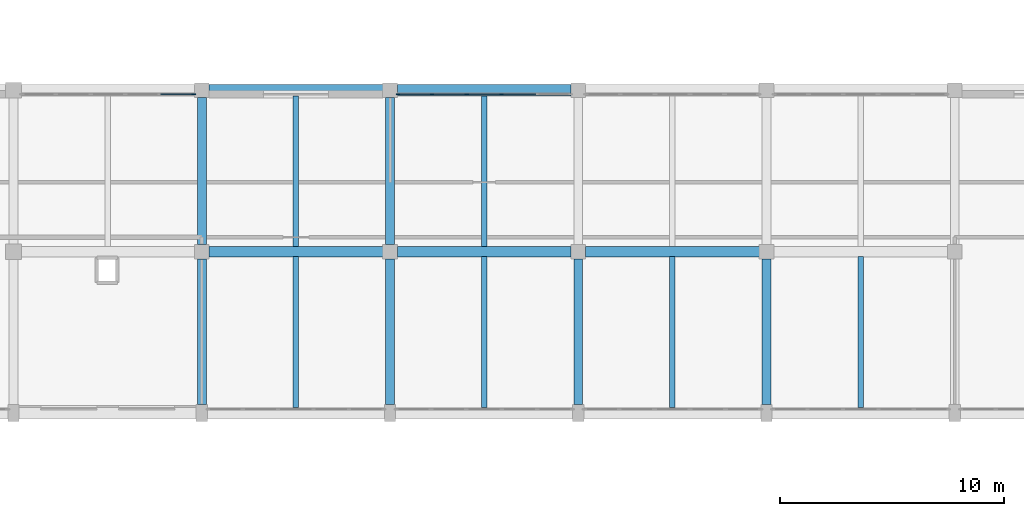
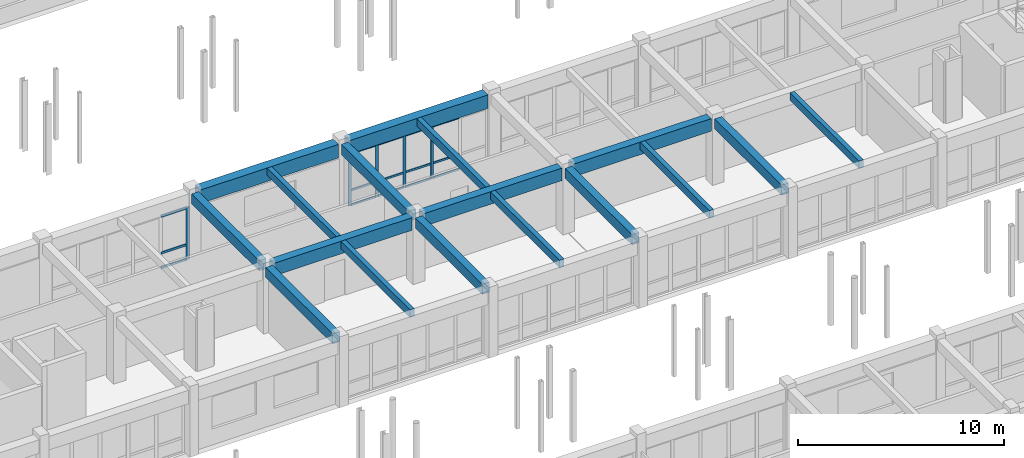
# One storey, part 59 of 147: 20 members, 17 beams, 2 elements without a shape of their own.
"""IFC4 building model written with IfcOpenShell, lengths in metres."""

from ifc_helpers import new_model, si_unit, direction, frame, origin, origin_2d, place, context, subcontext, project, spatial, rectangle, extrude, material, material_profile, profile_set, type_object, element, aggregate, save


model = new_model("IFC4")

# Units and contexts
model_context = context("Model", 3, precision=1e-05, world=origin(), true_north=direction((0.0, 1.0)))
body_context = subcontext(model_context, "Body", "Model", "MODEL_VIEW")
ifc_project = project(units=[si_unit("LENGTHUNIT", "METRE"), si_unit("AREAUNIT", "SQUARE_METRE"), si_unit("VOLUMEUNIT", "CUBIC_METRE"), si_unit("PLANEANGLEUNIT", "RADIAN"), si_unit("MASSUNIT", "GRAM", prefix="KILO")], contexts=[model_context])

# Site, building, storey
site_placement = place(None, origin())
site = spatial("IfcSite", under=ifc_project, at=site_placement, CompositionType="ELEMENT")
building_placement = place(site_placement, origin())
building = spatial("IfcBuilding", under=site, at=building_placement, Name="Malvenik Polytechnic", CompositionType="ELEMENT")
storey_placement = place(building_placement, frame((0.0, 0.0, 5.10009765625)))
storey = spatial("IfcBuildingStorey", under=building, at=storey_placement, Name="L01", CompositionType="ELEMENT", Elevation=5.10009765625)

# Curtain wall, members
ifc_material_1 = material(Name="Anodised aluminium 6060-T6", Category="aluminium")
curtain_wall_type = type_object("IfcCurtainWallType", Name="ARC-CW-CW-02", PredefinedType="NOTDEFINED", material=ifc_material_1)
curtain_wall_1_placement = place(storey_placement, origin())
curtain_wall_1 = element("IfcCurtainWall", 1, at=curtain_wall_1_placement, inside=storey, type_object=curtain_wall_type, Name="Unitised Curtain Wall CW-02 L01 #35", PredefinedType="NOTDEFINED")
ifc_material_2 = material(Name="Anodised aluminium", Category="aluminium")
ifc_material_profile_1 = material_profile(ifc_material_2, rectangle(XDim=0.06005859375, YDim=0.159912109375, at=origin_2d()), Name="ALU MULLION 60x160")
ifc_profile_set_1 = profile_set([ifc_material_profile_1], Name="Anodised aluminium")
member_type_1 = type_object("IfcMemberType", Name="ARC-CWM-160", PredefinedType="MULLION", material=ifc_profile_set_1)
member_1_placement = place(storey_placement, frame((42.35302734375, 93.429931640625, 0.0), z_axis=(0.0, 0.0, 1.0), x_axis=(0.0, 1.0, 0.0)))
member_1 = element("IfcMember", 2, at=member_1_placement, type_object=member_type_1, Name="CW-02 mullion 1", PredefinedType="MULLION", context=body_context, shape_type="SweptSolid", body=[
    extrude(rectangle(XDim=0.06005859375, YDim=0.159912109375, at=origin_2d()), origin(), (0.0, 0.0, 1.0), 3.10986328125),
])
member_2_placement = place(storey_placement, frame((43.873779296875, 93.429931640625, 0.0), z_axis=(0.0, 0.0, 1.0), x_axis=(0.0, 1.0, 0.0)))
member_2 = element("IfcMember", 3, at=member_2_placement, type_object=member_type_1, Name="CW-02 mullion 2", PredefinedType="MULLION", context=body_context, shape_type="SweptSolid", body=[
    extrude(rectangle(XDim=0.06005859375, YDim=0.159912109375, at=origin_2d()), origin(), (0.0, 0.0, 1.0), 3.10986328125),
])
member_3_placement = place(storey_placement, frame((45.424560546875, 93.429931640625, 0.0), z_axis=(0.0, 0.0, 1.0), x_axis=(0.0, 1.0, 0.0)))
member_3 = element("IfcMember", 4, at=member_3_placement, type_object=member_type_1, Name="CW-02 mullion 3", PredefinedType="MULLION", context=body_context, shape_type="SweptSolid", body=[
    extrude(rectangle(XDim=0.06005859375, YDim=0.159912109375, at=origin_2d()), origin(), (0.0, 0.0, 1.0), 3.10986328125),
])
member_4_placement = place(storey_placement, frame((46.975341796875, 93.429931640625, 0.0), z_axis=(0.0, 0.0, 1.0), x_axis=(0.0, 1.0, 0.0)))
member_4 = element("IfcMember", 5, at=member_4_placement, type_object=member_type_1, Name="CW-02 mullion 4", PredefinedType="MULLION", context=body_context, shape_type="SweptSolid", body=[
    extrude(rectangle(XDim=0.06005859375, YDim=0.159912109375, at=origin_2d()), origin(), (0.0, 0.0, 1.0), 3.10986328125),
])

# Curtain wall, member
curtain_wall_2_placement = place(storey_placement, origin())
curtain_wall_2 = element("IfcCurtainWall", 6, at=curtain_wall_2_placement, inside=storey, type_object=curtain_wall_type, Name="Unitised Curtain Wall CW-02 L01 #34", PredefinedType="NOTDEFINED")
ifc_material_profile_2 = material_profile(ifc_material_2, rectangle(XDim=0.06005859375, YDim=0.179931640625, at=origin_2d()), Name="ALU MULLION 60x180")
ifc_profile_set_2 = profile_set([ifc_material_profile_2], Name="Anodised aluminium")
member_type_2 = type_object("IfcMemberType", Name="ARC-CWM-180", PredefinedType="MULLION", material=ifc_profile_set_2)
member_5_placement = place(storey_placement, frame((33.2470703125, 93.429931640625, 0.0), z_axis=(0.0, 0.0, 1.0), x_axis=(0.0, 1.0, 0.0)))
member_5 = element("IfcMember", 7, at=member_5_placement, type_object=member_type_2, Name="CW-02 mullion 6", PredefinedType="MULLION", context=body_context, shape_type="SweptSolid", body=[
    extrude(rectangle(XDim=0.06005859375, YDim=0.179931640625, at=origin_2d()), origin(), (0.0, 0.0, 1.0), 3.10986328125),
])

# Member
ifc_material_profile_3 = material_profile(ifc_material_2, rectangle(XDim=0.06005859375, YDim=0.1201171875, at=origin_2d()), Name="ALU TRANSOM 60x120")
ifc_profile_set_3 = profile_set([ifc_material_profile_3], Name="Anodised aluminium")
member_type_3 = type_object("IfcMemberType", Name="ARC-CWT-120", PredefinedType="USERDEFINED", material=ifc_profile_set_3)
member_6_placement = place(storey_placement, frame((42.383056640625, 93.429931640625, 0.02978515625), z_axis=(1.0, 0.0, 0.0), x_axis=(0.0, 1.0, 0.0)))
member_6 = element("IfcMember", 8, at=member_6_placement, type_object=member_type_3, Name="CW-02 transom 1.1", ObjectType="TRANSOM", PredefinedType="USERDEFINED", context=body_context, shape_type="SweptSolid", body=[
    extrude(rectangle(XDim=0.06005859375, YDim=0.1201171875, at=origin_2d()), origin(), (0.0, 0.0, 1.0), 1.460693359375),
])

member_7_placement = place(storey_placement, frame((42.383056640625, 93.429931640625, 0.89990234375), z_axis=(1.0, 0.0, 0.0), x_axis=(0.0, 1.0, 0.0)))
member_7 = element("IfcMember", 9, at=member_7_placement, type_object=member_type_3, Name="CW-02 transom 1.2", ObjectType="TRANSOM", PredefinedType="USERDEFINED", context=body_context, shape_type="SweptSolid", body=[
    extrude(rectangle(XDim=0.06005859375, YDim=0.1201171875, at=origin_2d()), origin(), (0.0, 0.0, 1.0), 1.460693359375),
])

member_8_placement = place(storey_placement, frame((42.383056640625, 93.429931640625, 3.079833984375), z_axis=(1.0, 0.0, 0.0), x_axis=(0.0, 1.0, 0.0)))
member_8 = element("IfcMember", 10, at=member_8_placement, type_object=member_type_3, Name="CW-02 transom 1.3", ObjectType="TRANSOM", PredefinedType="USERDEFINED", context=body_context, shape_type="SweptSolid", body=[
    extrude(rectangle(XDim=0.06005859375, YDim=0.1201171875, at=origin_2d()), origin(), (0.0, 0.0, 1.0), 1.460693359375),
])

member_9_placement = place(storey_placement, frame((43.90380859375, 93.429931640625, 0.02978515625), z_axis=(1.0, 0.0, 0.0), x_axis=(0.0, 1.0, 0.0)))
member_9 = element("IfcMember", 11, at=member_9_placement, type_object=member_type_3, Name="CW-02 transom 2.1", ObjectType="TRANSOM", PredefinedType="USERDEFINED", context=body_context, shape_type="SweptSolid", body=[
    extrude(rectangle(XDim=0.06005859375, YDim=0.1201171875, at=origin_2d()), origin(), (0.0, 0.0, 1.0), 1.49072265625),
])

member_10_placement = place(storey_placement, frame((43.90380859375, 93.429931640625, 0.89990234375), z_axis=(1.0, 0.0, 0.0), x_axis=(0.0, 1.0, 0.0)))
member_10 = element("IfcMember", 12, at=member_10_placement, type_object=member_type_3, Name="CW-02 transom 2.2", ObjectType="TRANSOM", PredefinedType="USERDEFINED", context=body_context, shape_type="SweptSolid", body=[
    extrude(rectangle(XDim=0.06005859375, YDim=0.1201171875, at=origin_2d()), origin(), (0.0, 0.0, 1.0), 1.49072265625),
])

member_11_placement = place(storey_placement, frame((43.90380859375, 93.429931640625, 3.079833984375), z_axis=(1.0, 0.0, 0.0), x_axis=(0.0, 1.0, 0.0)))
member_11 = element("IfcMember", 13, at=member_11_placement, type_object=member_type_3, Name="CW-02 transom 2.3", ObjectType="TRANSOM", PredefinedType="USERDEFINED", context=body_context, shape_type="SweptSolid", body=[
    extrude(rectangle(XDim=0.06005859375, YDim=0.1201171875, at=origin_2d()), origin(), (0.0, 0.0, 1.0), 1.49072265625),
])

member_12_placement = place(storey_placement, frame((45.45458984375, 93.429931640625, 0.02978515625), z_axis=(1.0, 0.0, 0.0), x_axis=(0.0, 1.0, 0.0)))
member_12 = element("IfcMember", 14, at=member_12_placement, type_object=member_type_3, Name="CW-02 transom 3.1", ObjectType="TRANSOM", PredefinedType="USERDEFINED", context=body_context, shape_type="SweptSolid", body=[
    extrude(rectangle(XDim=0.06005859375, YDim=0.1201171875, at=origin_2d()), origin(), (0.0, 0.0, 1.0), 1.49072265625),
])

member_13_placement = place(storey_placement, frame((45.45458984375, 93.429931640625, 0.89990234375), z_axis=(1.0, 0.0, 0.0), x_axis=(0.0, 1.0, 0.0)))
member_13 = element("IfcMember", 15, at=member_13_placement, type_object=member_type_3, Name="CW-02 transom 3.2", ObjectType="TRANSOM", PredefinedType="USERDEFINED", context=body_context, shape_type="SweptSolid", body=[
    extrude(rectangle(XDim=0.06005859375, YDim=0.1201171875, at=origin_2d()), origin(), (0.0, 0.0, 1.0), 1.49072265625),
])

member_14_placement = place(storey_placement, frame((45.45458984375, 93.429931640625, 3.079833984375), z_axis=(1.0, 0.0, 0.0), x_axis=(0.0, 1.0, 0.0)))
member_14 = element("IfcMember", 16, at=member_14_placement, type_object=member_type_3, Name="CW-02 transom 3.3", ObjectType="TRANSOM", PredefinedType="USERDEFINED", context=body_context, shape_type="SweptSolid", body=[
    extrude(rectangle(XDim=0.06005859375, YDim=0.1201171875, at=origin_2d()), origin(), (0.0, 0.0, 1.0), 1.49072265625),
])

member_15_placement = place(storey_placement, frame((47.00537109375, 93.429931640625, 0.02978515625), z_axis=(1.0, 0.0, 0.0), x_axis=(0.0, 1.0, 0.0)))
member_15 = element("IfcMember", 17, at=member_15_placement, type_object=member_type_3, Name="CW-02 transom 4.1", ObjectType="TRANSOM", PredefinedType="USERDEFINED", context=body_context, shape_type="SweptSolid", body=[
    extrude(rectangle(XDim=0.06005859375, YDim=0.1201171875, at=origin_2d()), origin(), (0.0, 0.0, 1.0), 1.49072265625),
])

member_16_placement = place(storey_placement, frame((47.00537109375, 93.429931640625, 0.89990234375), z_axis=(1.0, 0.0, 0.0), x_axis=(0.0, 1.0, 0.0)))
member_16 = element("IfcMember", 18, at=member_16_placement, type_object=member_type_3, Name="CW-02 transom 4.2", ObjectType="TRANSOM", PredefinedType="USERDEFINED", context=body_context, shape_type="SweptSolid", body=[
    extrude(rectangle(XDim=0.06005859375, YDim=0.1201171875, at=origin_2d()), origin(), (0.0, 0.0, 1.0), 1.49072265625),
])

member_17_placement = place(storey_placement, frame((47.00537109375, 93.429931640625, 3.079833984375), z_axis=(1.0, 0.0, 0.0), x_axis=(0.0, 1.0, 0.0)))
member_17 = element("IfcMember", 19, at=member_17_placement, type_object=member_type_3, Name="CW-02 transom 4.3", ObjectType="TRANSOM", PredefinedType="USERDEFINED", context=body_context, shape_type="SweptSolid", body=[
    extrude(rectangle(XDim=0.06005859375, YDim=0.1201171875, at=origin_2d()), origin(), (0.0, 0.0, 1.0), 1.49072265625),
])

aggregate(curtain_wall_1, [member_1, member_2, member_3, member_4, member_6, member_7, member_8, member_9, member_10, member_11, member_12, member_13, member_14, member_15, member_16, member_17])

ifc_material_profile_4 = material_profile(ifc_material_2, rectangle(XDim=0.06005859375, YDim=0.139892578125, at=origin_2d()), Name="ALU TRANSOM 60x140")
ifc_profile_set_4 = profile_set([ifc_material_profile_4], Name="Anodised aluminium")
member_type_4 = type_object("IfcMemberType", Name="ARC-CWT-140", PredefinedType="USERDEFINED", material=ifc_profile_set_4)
member_18_placement = place(storey_placement, frame((31.76123046875, 93.429931640625, 0.02978515625), z_axis=(1.0, 0.0, 0.0), x_axis=(0.0, 1.0, 0.0)))
member_18 = element("IfcMember", 20, at=member_18_placement, type_object=member_type_4, Name="CW-02 transom 5.1", ObjectType="TRANSOM", PredefinedType="USERDEFINED", context=body_context, shape_type="SweptSolid", body=[
    extrude(rectangle(XDim=0.06005859375, YDim=0.139892578125, at=origin_2d()), origin(), (0.0, 0.0, 1.0), 1.455810546875),
])

member_19_placement = place(storey_placement, frame((31.76123046875, 93.429931640625, 0.89990234375), z_axis=(1.0, 0.0, 0.0), x_axis=(0.0, 1.0, 0.0)))
member_19 = element("IfcMember", 21, at=member_19_placement, type_object=member_type_4, Name="CW-02 transom 5.2", ObjectType="TRANSOM", PredefinedType="USERDEFINED", context=body_context, shape_type="SweptSolid", body=[
    extrude(rectangle(XDim=0.06005859375, YDim=0.139892578125, at=origin_2d()), origin(), (0.0, 0.0, 1.0), 1.455810546875),
])

member_20_placement = place(storey_placement, frame((31.76123046875, 93.429931640625, 3.079833984375), z_axis=(1.0, 0.0, 0.0), x_axis=(0.0, 1.0, 0.0)))
member_20 = element("IfcMember", 22, at=member_20_placement, type_object=member_type_4, Name="CW-02 transom 5.3", ObjectType="TRANSOM", PredefinedType="USERDEFINED", context=body_context, shape_type="SweptSolid", body=[
    extrude(rectangle(XDim=0.06005859375, YDim=0.139892578125, at=origin_2d()), origin(), (0.0, 0.0, 1.0), 1.455810546875),
])

aggregate(curtain_wall_2, [member_5, member_18, member_19, member_20])

# Beams
ifc_material_3 = material(Name="Concrete C35/45", Category="concrete")
ifc_material_profile_5 = material_profile(ifc_material_3, rectangle(XDim=0.449951171875, YDim=0.75, at=origin_2d()), Name="RC BM 450x750")
ifc_profile_set_5 = profile_set([ifc_material_profile_5], Name="Concrete C35/45")
beam_type_1 = type_object("IfcBeamType", Name="STR-BM-B-03", PredefinedType="BEAM", material=ifc_profile_set_5)
for number, where, z_axis, x_axis, name in (
    (23, (33.923095703125, 86.39990234375, 3.544921875), (1.0, 0.0, 0.0), (0.0, 1.0, 0.0), "Primary Beam B-03 L01 #1059"),
    (24, (42.322998046875, 86.39990234375, 3.544921875), (1.0, 0.0, 0.0), (0.0, 1.0, 0.0), "Primary Beam B-03 L01 #1060"),
):
    element("IfcBeam", number, at=place(storey_placement, frame(where, z_axis=z_axis, x_axis=x_axis)), inside=storey, type_object=beam_type_1, Name=name, PredefinedType="BEAM", context=body_context, shape_type="SweptSolid", body=[
        extrude(rectangle(XDim=0.449951171875, YDim=0.75, at=origin_2d()), origin(), (0.0, 0.0, 1.0), 7.75390625),
    ])
beam_1_placement = place(storey_placement, frame((50.722900390625, 86.39990234375, 3.544921875), z_axis=(1.0, 0.0, 0.0), x_axis=(0.0, 1.0, 0.0)))
element("IfcBeam", 25, at=beam_1_placement, inside=storey, type_object=beam_type_1, Name="Primary Beam B-03 L01 #1061", PredefinedType="BEAM", context=body_context, shape_type="SweptSolid", body=[
    extrude(rectangle(XDim=0.449951171875, YDim=0.75, at=origin_2d()), origin(), (0.0, 0.0, 1.0), 7.754150390625),
])
ifc_material_profile_6 = material_profile(ifc_material_3, rectangle(XDim=0.39990234375, YDim=0.60009765625, at=origin_2d()), Name="RC BM 400x600")
ifc_profile_set_6 = profile_set([ifc_material_profile_6], Name="Concrete C35/45")
beam_type_2 = type_object("IfcBeamType", Name="STR-BM-B-06", PredefinedType="BEAM", material=ifc_profile_set_6)
beam_2_placement = place(storey_placement, frame((33.60009765625, 79.572998046875, 3.619873046875), z_axis=(0.0, 1.0, 0.0), x_axis=(-1.0, 0.0, 0.0)))
element("IfcBeam", 26, at=beam_2_placement, inside=storey, type_object=beam_type_2, Name="Transverse Beam B-06 L01 #1149", PredefinedType="BEAM", context=body_context, shape_type="SweptSolid", body=[
    extrude(rectangle(XDim=0.39990234375, YDim=0.60009765625, at=origin_2d()), origin(), (0.0, 0.0, 1.0), 6.50390625),
])
beam_3_placement = place(storey_placement, frame((33.60009765625, 86.722900390625, 3.619873046875), z_axis=(0.0, 1.0, 0.0), x_axis=(-1.0, 0.0, 0.0)))
element("IfcBeam", 27, at=beam_3_placement, inside=storey, type_object=beam_type_2, Name="Transverse Beam B-06 L01 #1150", PredefinedType="BEAM", context=body_context, shape_type="SweptSolid", body=[
    extrude(rectangle(XDim=0.39990234375, YDim=0.60009765625, at=origin_2d()), origin(), (0.0, 0.0, 1.0), 6.55419921875),
])
beam_4_placement = place(storey_placement, frame((42.0, 79.572998046875, 3.619873046875), z_axis=(0.0, 1.0, 0.0), x_axis=(-1.0, 0.0, 0.0)))
element("IfcBeam", 28, at=beam_4_placement, inside=storey, type_object=beam_type_2, Name="Transverse Beam B-06 L01 #1155", PredefinedType="BEAM", context=body_context, shape_type="SweptSolid", body=[
    extrude(rectangle(XDim=0.39990234375, YDim=0.60009765625, at=origin_2d()), origin(), (0.0, 0.0, 1.0), 6.50390625),
])
beam_5_placement = place(storey_placement, frame((42.0, 86.722900390625, 3.619873046875), z_axis=(0.0, 1.0, 0.0), x_axis=(-1.0, 0.0, 0.0)))
element("IfcBeam", 29, at=beam_5_placement, inside=storey, type_object=beam_type_2, Name="Transverse Beam B-06 L01 #1156", PredefinedType="BEAM", context=body_context, shape_type="SweptSolid", body=[
    extrude(rectangle(XDim=0.39990234375, YDim=0.60009765625, at=origin_2d()), origin(), (0.0, 0.0, 1.0), 6.55419921875),
])
for number, where, z_axis, x_axis, name in (
    (30, (50.39990234375, 79.572998046875, 3.619873046875), (0.0, 1.0, 0.0), (-1.0, 0.0, 0.0), "Transverse Beam B-06 L01 #1163"),
    (31, (58.800048828125, 79.572998046875, 3.619873046875), (0.0, 1.0, 0.0), (-1.0, 0.0, 0.0), "Transverse Beam B-06 L01 #1169"),
):
    element("IfcBeam", number, at=place(storey_placement, frame(where, z_axis=z_axis, x_axis=x_axis)), inside=storey, type_object=beam_type_2, Name=name, PredefinedType="BEAM", context=body_context, shape_type="SweptSolid", body=[
        extrude(rectangle(XDim=0.39990234375, YDim=0.60009765625, at=origin_2d()), origin(), (0.0, 0.0, 1.0), 6.50390625),
    ])
ifc_material_4 = material(Name="Concrete C30/37", Category="concrete")
ifc_material_profile_7 = material_profile(ifc_material_4, rectangle(XDim=0.25, YDim=0.449951171875, at=origin_2d()), Name="RC JST 250x450")
ifc_profile_set_7 = profile_set([ifc_material_profile_7], Name="Concrete C30/37")
beam_type_3 = type_object("IfcBeamType", Name="STR-BM-J-02", PredefinedType="JOIST", material=ifc_profile_set_7)
for number, where, z_axis, x_axis, name in (
    (32, (37.800048828125, 79.4580078125, 3.69482421875), (0.0, 1.0, 0.0), (-1.0, 0.0, 0.0), "Secondary Rib Joist J-02 L01 #1263"),
    (33, (37.800048828125, 86.623046875, 3.69482421875), (0.0, 1.0, 0.0), (-1.0, 0.0, 0.0), "Secondary Rib Joist J-02 L01 #1264"),
    (34, (46.199951171875, 79.4580078125, 3.69482421875), (0.0, 1.0, 0.0), (-1.0, 0.0, 0.0), "Secondary Rib Joist J-02 L01 #1269"),
    (35, (46.199951171875, 86.623046875, 3.69482421875), (0.0, 1.0, 0.0), (-1.0, 0.0, 0.0), "Secondary Rib Joist J-02 L01 #1270"),
    (36, (54.60009765625, 79.4580078125, 3.69482421875), (0.0, 1.0, 0.0), (-1.0, 0.0, 0.0), "Secondary Rib Joist J-02 L01 #1275"),
    (37, (63.0, 79.4580078125, 3.69482421875), (0.0, 1.0, 0.0), (-1.0, 0.0, 0.0), "Secondary Rib Joist J-02 L01 #1279"),
):
    element("IfcBeam", number, at=place(storey_placement, frame(where, z_axis=z_axis, x_axis=x_axis)), inside=storey, type_object=beam_type_3, Name=name, PredefinedType="JOIST", context=body_context, shape_type="SweptSolid", body=[
        extrude(rectangle(XDim=0.25, YDim=0.449951171875, at=origin_2d()), origin(), (0.0, 0.0, 1.0), 6.718994140625),
    ])
ifc_material_5 = material(Name="Precast concrete C40/50", Category="concrete")
ifc_material_profile_8 = material_profile(ifc_material_5, rectangle(XDim=0.52001953125, YDim=0.800048828125, at=origin_2d()), Name="PC SPN 520x800")
ifc_profile_set_8 = profile_set([ifc_material_profile_8], Name="Precast concrete C40/50")
beam_type_4 = type_object("IfcBeamType", Name="STR-BM-SP-01", PredefinedType="SPANDREL", material=ifc_profile_set_8)
for number, where, z_axis, x_axis, name in (
    (38, (33.923095703125, 93.60009765625, 3.52001953125), (1.0, 0.0, 0.0), (0.0, 1.0, 0.0), "Primary Beam SP-01 L01 #1073"),
    (39, (42.322998046875, 93.60009765625, 3.52001953125), (1.0, 0.0, 0.0), (0.0, 1.0, 0.0), "Primary Beam SP-01 L01 #1074"),
):
    element("IfcBeam", number, at=place(storey_placement, frame(where, z_axis=z_axis, x_axis=x_axis)), inside=storey, type_object=beam_type_4, Name=name, PredefinedType="SPANDREL", context=body_context, shape_type="SweptSolid", body=[
        extrude(rectangle(XDim=0.52001953125, YDim=0.800048828125, at=origin_2d()), origin(), (0.0, 0.0, 1.0), 7.75390625),
    ])

save(model, "model.ifc")
